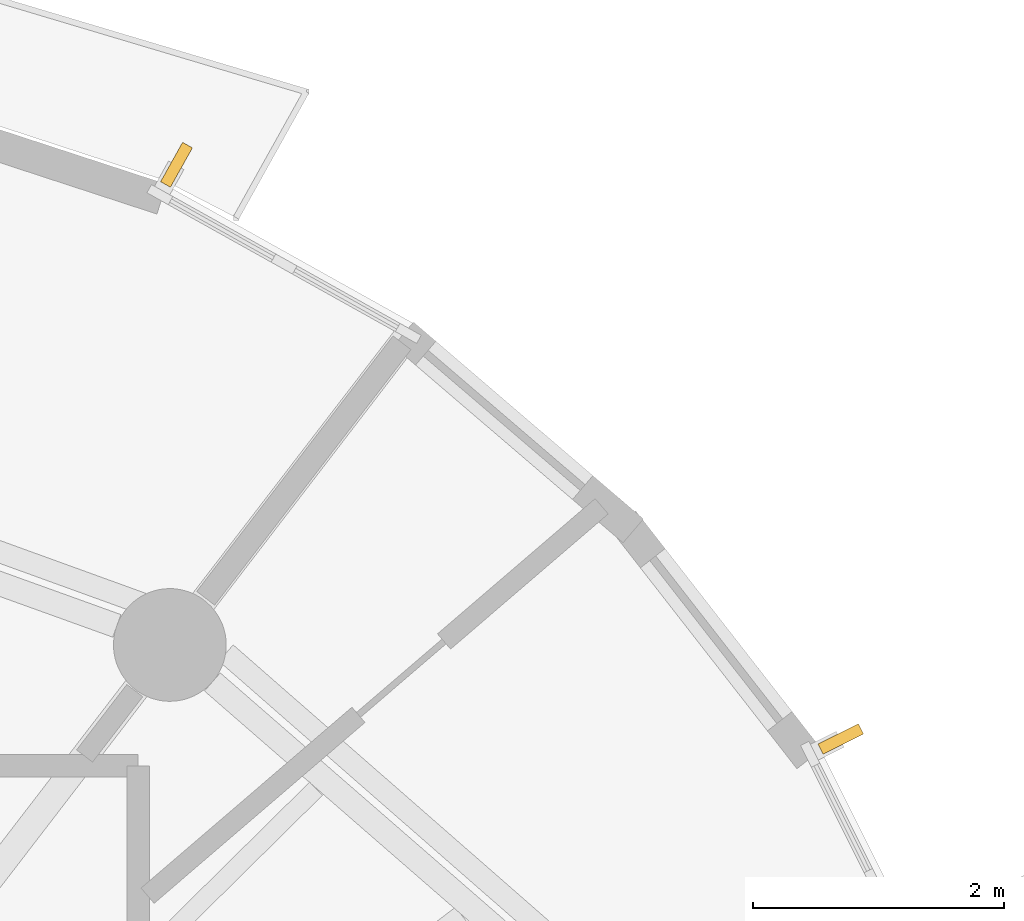
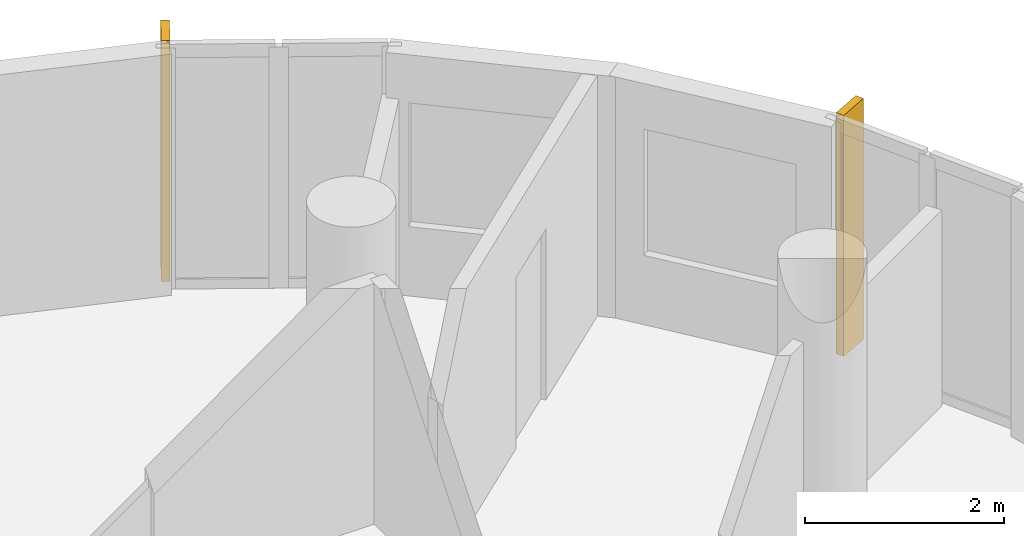
# One storey, part 10 of 10: 2 shading devices.
"""IFC4 building model written with IfcOpenShell, lengths in metres."""

from ifc_helpers import new_model, si_unit, direction, frame, origin, origin_2d, place, context, subcontext, project, spatial, rectangle, extrude, material, layer, layer_set, type_object, element, save


model = new_model("IFC4")

# Units and contexts
model_context = context("Model", 3, precision=1e-05, world=origin(), true_north=direction((0.0, 1.0)))
body_context = subcontext(model_context, "Body", "Model", "MODEL_VIEW")
ifc_project = project(units=[si_unit("LENGTHUNIT", "METRE"), si_unit("AREAUNIT", "SQUARE_METRE"), si_unit("VOLUMEUNIT", "CUBIC_METRE"), si_unit("PLANEANGLEUNIT", "RADIAN"), si_unit("MASSUNIT", "GRAM", prefix="KILO")], contexts=[model_context])

# Site, building, storey
site_placement = place(None, origin())
site = spatial("IfcSite", under=ifc_project, at=site_placement, CompositionType="ELEMENT")
building_placement = place(site_placement, origin())
building = spatial("IfcBuilding", under=site, at=building_placement, Name="Veldorim Arch Residences", CompositionType="ELEMENT")
storey_placement = place(building_placement, frame((0.0, 0.0, 175.840087890625)))
storey = spatial("IfcBuildingStorey", under=building, at=storey_placement, Name="L52", CompositionType="ELEMENT", Elevation=175.840087890625)

# Shading devices
ifc_material = material(Name="Terracotta Ceramic", Category="masonry")
ifc_layer = layer(ifc_material, 0.090087890625, Name="Vertical Extruded Terracotta Baguette Sun-Shading Fin")
ifc_layer_set = layer_set([ifc_layer], Name="Terracotta Ceramic")
shading_device_type = type_object("IfcShadingDeviceType", Name="Vertical Extruded Terracotta Baguette Sun-Shading Fin", PredefinedType="USERDEFINED", material=ifc_layer_set)
for number, where, z_axis, x_axis, name in (
    (1, (39.38671875, 37.378173828125, 0.0), (0.0, 0.0, 1.0), (0.873007211547, -0.487707298065, 0.0), "L52 vertical terracotta sun-shading fin 02"),
    (2, (44.688720703125, 32.794921875, 0.0), (0.0, 0.0, 1.0), (0.446978620671, -0.894544639838, 0.0), "L52 vertical terracotta sun-shading fin 35"),
):
    element("IfcShadingDevice", number, at=place(storey_placement, frame(where, z_axis=z_axis, x_axis=x_axis)), inside=storey, type_object=shading_device_type, Name=name, ObjectType="FIN", PredefinedType="USERDEFINED", context=body_context, shape_type="SweptSolid", body=[
        extrude(rectangle(XDim=0.090087890625, YDim=0.360107421875, at=origin_2d()), origin(), (0.0, 0.0, 1.0), 2.9599609375),
    ])

save(model, "model.ifc")
